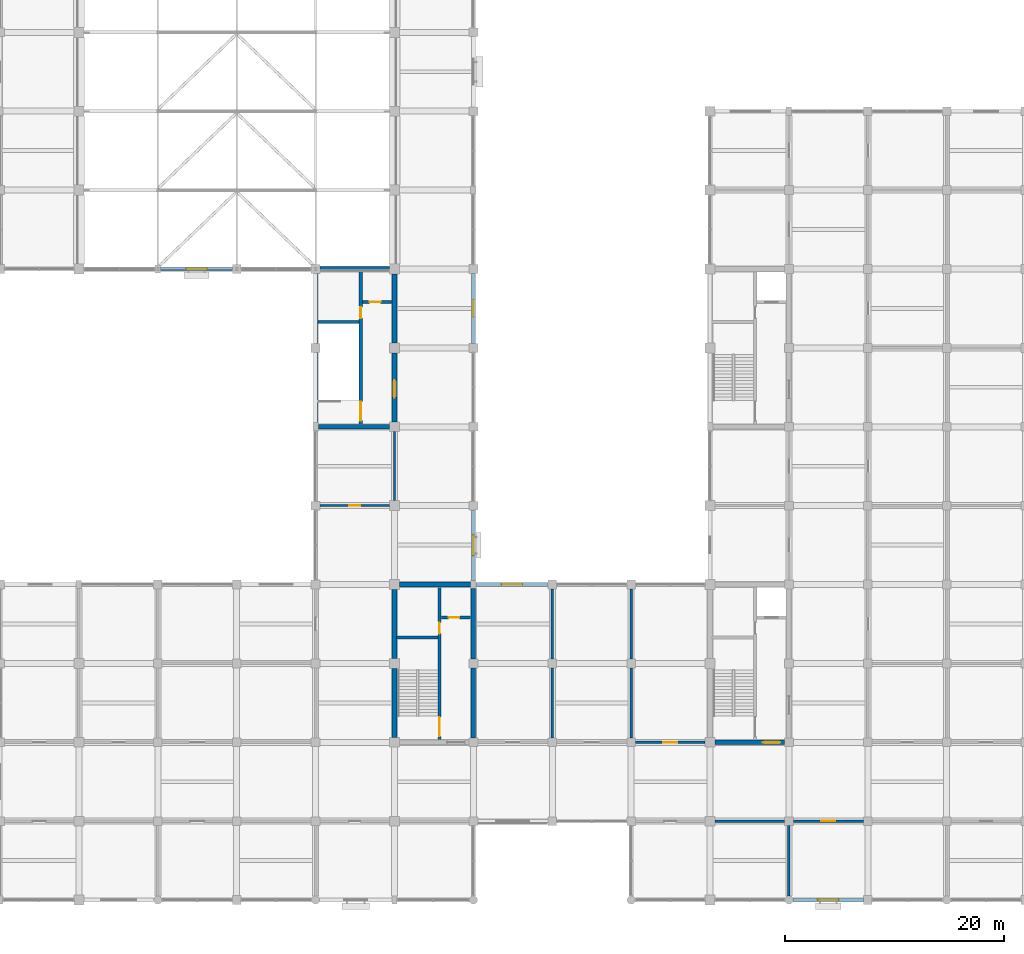
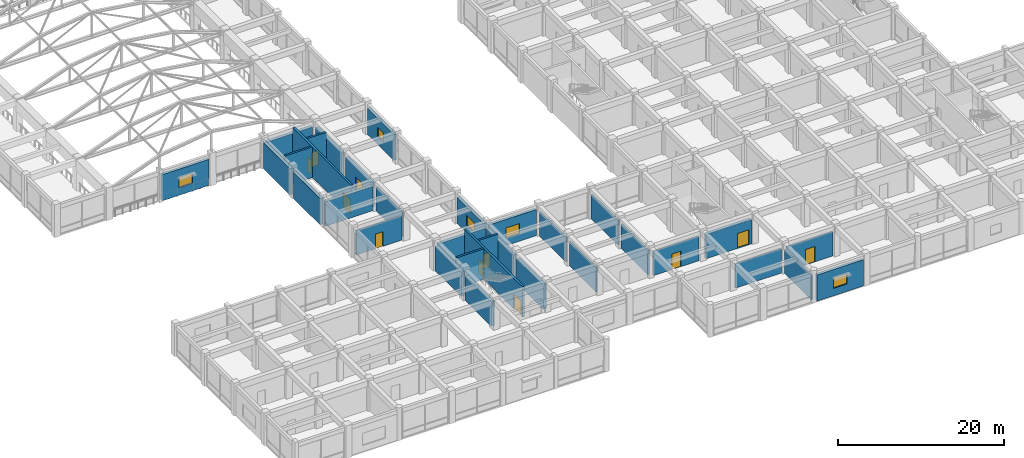
# One storey, part 57 of 75: 33 walls, 11 doors, 5 windows, 16 openings.
"""IFC4 building model written with IfcOpenShell, lengths in metres."""

from ifc_helpers import new_model, si_unit, direction, frame, frame_2d, origin, place, context, subcontext, project, spatial, rectangle, extrude, material, layer, layer_set, type_object, element, fill, save


model = new_model("IFC4")

# Units and contexts
model_context = context("Model", 3, precision=1e-05, world=origin(), true_north=direction((0.0, 1.0)))
body_context = subcontext(model_context, "Body", "Model", "MODEL_VIEW")
ifc_project = project(units=[si_unit("LENGTHUNIT", "METRE"), si_unit("AREAUNIT", "SQUARE_METRE"), si_unit("VOLUMEUNIT", "CUBIC_METRE"), si_unit("PLANEANGLEUNIT", "RADIAN"), si_unit("MASSUNIT", "GRAM", prefix="KILO")], contexts=[model_context])

# Site, building, storey
site_placement = place(None, origin())
site = spatial("IfcSite", under=ifc_project, at=site_placement, CompositionType="ELEMENT")
building_placement = place(site_placement, origin())
building = spatial("IfcBuilding", under=site, at=building_placement, Name="Cendaluz Park School", CompositionType="ELEMENT")
storey_placement = place(building_placement, frame((0.0, 0.0, 4.800048828125)))
storey = spatial("IfcBuildingStorey", under=building, at=storey_placement, Name="L01", CompositionType="ELEMENT", Elevation=4.800048828125)

# Wall, opening, door
ifc_material_1 = material(Name="Gypsum Plasterboard on Cold-Formed Stud", Category="gypsum")
ifc_layer_1 = layer(ifc_material_1, 0.199951171875)
ifc_layer_set_1 = layer_set([ifc_layer_1], Name="Gypsum Plasterboard on Cold-Formed Stud")
wall_type_1 = type_object("IfcWallType", Name="W-AC20", PredefinedType="PARTITIONING", material=ifc_layer_set_1)
wall_1_placement = place(storey_placement, frame((29.199951171875, 36.0, 0.0), z_axis=(0.0, 0.0, 1.0), x_axis=(1.0, 0.0, 0.0)))
wall_1 = element("IfcWall", 1, at=wall_1_placement, inside=storey, type_object=wall_type_1, Name="WL-FB-BU3", PredefinedType="PARTITIONING", context=body_context, shape_type="SweptSolid", body=[
    extrude(rectangle(XDim=6.35009765625, YDim=0.199951171875, at=frame_2d((3.175048828125, 0.0))), origin(), (0.0, 0.0, 1.0), 3.579833984375),
])
opening_1_placement = place(wall_1_placement, frame((2.655029296875, 0.0, 0.0)))
opening_1 = element("IfcOpeningElement", 2, at=opening_1_placement, cuts=wall_1, Name="Opening DCL-03", PredefinedType="OPENING", context=body_context, shape_type="SweptSolid", body=[
    extrude(rectangle(XDim=1.0400390625, YDim=2.139892578125, at=frame_2d((0.52001953125, 1.06982421875))), frame((0.0, 0.112060546875, 0.0), z_axis=(0.0, -1.0, 0.0), x_axis=(1.0, 0.0, 0.0)), (0.0, 0.0, 1.0), 0.223876953125),
])
ifc_material_2 = material(Name="Solid Core Hardwood", Category="wood")
door_type_1 = type_object("IfcDoorType", Name="DCL-03", OperationType="NOTDEFINED", PredefinedType="DOOR", material=ifc_material_2)
door_1_placement = place(opening_1_placement, origin())
door_1 = element("IfcDoor", 3, at=door_1_placement, inside=storey, type_object=door_type_1, Name="D-L01-055", OperationType="SINGLE_SWING_LEFT", OverallHeight=2.139892578125, OverallWidth=1.0400390625, PredefinedType="DOOR", context=body_context, shape_type="SweptSolid", body=[
    extrude(rectangle(XDim=1.0400390625, YDim=2.139892578125, at=frame_2d((0.52001953125, 1.06982421875))), frame((0.0, 0.02490234375, 0.0), z_axis=(0.0, -1.0, 0.0), x_axis=(1.0, 0.0, 0.0)), (0.0, 0.0, 1.0), 0.050048828125),
])
fill(opening_1, door_1)

# Wall
wall_2_placement = place(storey_placement, frame((36.0, 36.449951171875, 0.0), z_axis=(0.0, 0.0, 1.0), x_axis=(0.0, 1.0, 0.0)))
element("IfcWall", 4, at=wall_2_placement, inside=storey, type_object=wall_type_1, Name="WL-FB-BU4", PredefinedType="PARTITIONING", context=body_context, shape_type="SweptSolid", body=[
    extrude(rectangle(XDim=6.300048828125, YDim=0.199951171875, at=frame_2d((3.14990234375, 0.0))), origin(), (0.0, 0.0, 1.0), 3.579833984375),
])

# Wall, opening, window
ifc_material_3 = material(Name="Concrete C40/50 precast", Category="concrete")
ifc_layer_2 = layer(ifc_material_3, 0.360107421875)
ifc_layer_set_2 = layer_set([ifc_layer_2], Name="Concrete C40/50 precast")
wall_type_2 = type_object("IfcWallType", Name="W-EX36", PredefinedType="SOLIDWALL", material=ifc_layer_set_2)
wall_3_placement = place(storey_placement, frame((14.64990234375, 57.60009765625, 0.0), z_axis=(0.0, 0.0, 1.0), x_axis=(1.0, 0.0, 0.0)))
wall_3 = element("IfcWall", 5, at=wall_3_placement, inside=storey, type_object=wall_type_2, Name="WL-FB-AA6", PredefinedType="SOLIDWALL", context=body_context, shape_type="SweptSolid", body=[
    extrude(rectangle(XDim=6.550048828125, YDim=0.360107421875, at=frame_2d((3.27490234375, 0.0))), origin(), (0.0, 0.0, 1.0), 3.849853515625),
])
opening_2_placement = place(wall_3_placement, frame((2.324951171875, 0.0, 1.10009765625)))
opening_2 = element("IfcOpeningElement", 6, at=opening_2_placement, cuts=wall_3, Name="Opening WN-17", PredefinedType="OPENING", context=body_context, shape_type="SweptSolid", body=[
    extrude(rectangle(XDim=1.89990234375, YDim=1.5, at=frame_2d((0.949951171875, 0.75))), frame((0.0, 0.192138671875, 0.0), z_axis=(0.0, -1.0, 0.0), x_axis=(1.0, 0.0, 0.0)), (0.0, 0.0, 1.0), 0.384033203125),
])
ifc_material_4 = material(Name="Tempered Low-E Double Glazing", Category="glass")
window_type_1 = type_object("IfcWindowType", Name="WN-17", PartitioningType="SINGLE_PANEL", PredefinedType="WINDOW", material=ifc_material_4)
window_1_placement = place(opening_2_placement, origin())
window_1 = element("IfcWindow", 7, at=window_1_placement, inside=storey, type_object=window_type_1, Name="WN-L01-007", OverallHeight=1.5, OverallWidth=1.89990234375, PartitioningType="SINGLE_PANEL", PredefinedType="WINDOW", context=body_context, shape_type="SweptSolid", body=[
    extrude(rectangle(XDim=1.89990234375, YDim=1.5, at=frame_2d((0.949951171875, 0.75))), frame((0.0, 0.030029296875, 0.0), z_axis=(0.0, -1.0, 0.0), x_axis=(1.0, 0.0, 0.0)), (0.0, 0.0, 1.0), 0.06005859375),
])
fill(opening_2, window_1)

wall_4_placement = place(storey_placement, frame((43.199951171875, 29.175048828125, 0.0), z_axis=(0.0, 0.0, 1.0), x_axis=(0.0, 1.0, 0.0)))
wall_4 = element("IfcWall", 8, at=wall_4_placement, inside=storey, type_object=wall_type_2, Name="WL-FB-AB0", PredefinedType="SOLIDWALL", context=body_context, shape_type="SweptSolid", body=[
    extrude(rectangle(XDim=6.425048828125, YDim=0.360107421875, at=frame_2d((3.21240234375, 0.0))), origin(), (0.0, 0.0, 1.0), 3.849853515625),
])
opening_3_placement = place(wall_4_placement, frame((2.262451171875, 0.0, 1.10009765625)))
opening_3 = element("IfcOpeningElement", 9, at=opening_3_placement, cuts=wall_4, Name="Opening WN-17", PredefinedType="OPENING", context=body_context, shape_type="SweptSolid", body=[
    extrude(rectangle(XDim=1.89990234375, YDim=1.5, at=frame_2d((0.949951171875, 0.75))), frame((0.0, 0.192138671875, 0.0), z_axis=(0.0, -1.0, 0.0), x_axis=(1.0, 0.0, 0.0)), (0.0, 0.0, 1.0), 0.384033203125),
])
window_2_placement = place(opening_3_placement, origin())
window_2 = element("IfcWindow", 10, at=window_2_placement, inside=storey, type_object=window_type_1, Name="WN-L01-011", OverallHeight=1.5, OverallWidth=1.89990234375, PartitioningType="SINGLE_PANEL", PredefinedType="WINDOW", context=body_context, shape_type="SweptSolid", body=[
    extrude(rectangle(XDim=1.89990234375, YDim=1.5, at=frame_2d((0.949951171875, 0.75))), frame((0.0, 0.030029296875, 0.0), z_axis=(0.0, -1.0, 0.0), x_axis=(1.0, 0.0, 0.0)), (0.0, 0.0, 1.0), 0.06005859375),
])
fill(opening_3, window_2)

wall_5_placement = place(storey_placement, frame((43.199951171875, 50.800048828125, 0.0), z_axis=(0.0, 0.0, 1.0), x_axis=(0.0, 1.0, 0.0)))
wall_5 = element("IfcWall", 11, at=wall_5_placement, inside=storey, type_object=wall_type_2, Name="WL-FB-AB1", PredefinedType="SOLIDWALL", context=body_context, shape_type="SweptSolid", body=[
    extrude(rectangle(XDim=6.39990234375, YDim=0.360107421875, at=frame_2d((3.199951171875, 0.0))), origin(), (0.0, 0.0, 1.0), 3.849853515625),
])
opening_4_placement = place(wall_5_placement, frame((2.449951171875, 0.0, 1.199951171875)))
opening_4 = element("IfcOpeningElement", 12, at=opening_4_placement, cuts=wall_5, Name="Opening WN-20", PredefinedType="OPENING", context=body_context, shape_type="SweptSolid", body=[
    extrude(rectangle(XDim=1.5, YDim=1.35009765625, at=frame_2d((0.75, 0.675048828125))), frame((0.0, 0.192138671875, 0.0), z_axis=(0.0, -1.0, 0.0), x_axis=(1.0, 0.0, 0.0)), (0.0, 0.0, 1.0), 0.384033203125),
])
window_type_2 = type_object("IfcWindowType", Name="WN-20", PartitioningType="SINGLE_PANEL", PredefinedType="WINDOW", material=ifc_material_4)
window_3_placement = place(opening_4_placement, origin())
window_3 = element("IfcWindow", 13, at=window_3_placement, inside=storey, type_object=window_type_2, Name="WN-L01-012", OverallHeight=1.35009765625, OverallWidth=1.5, PartitioningType="SINGLE_PANEL", PredefinedType="WINDOW", context=body_context, shape_type="SweptSolid", body=[
    extrude(rectangle(XDim=1.5, YDim=1.35009765625, at=frame_2d((0.75, 0.675048828125))), frame((0.0, 0.030029296875, 0.0), z_axis=(0.0, -1.0, 0.0), x_axis=(1.0, 0.0, 0.0)), (0.0, 0.0, 1.0), 0.06005859375),
])
fill(opening_4, window_3)

wall_6_placement = place(storey_placement, frame((43.449951171875, 28.800048828125, 0.0), z_axis=(0.0, 0.0, 1.0), x_axis=(1.0, 0.0, 0.0)))
wall_6 = element("IfcWall", 14, at=wall_6_placement, inside=storey, type_object=wall_type_2, Name="WL-FB-AB5", PredefinedType="SOLIDWALL", context=body_context, shape_type="SweptSolid", body=[
    extrude(rectangle(XDim=6.550048828125, YDim=0.360107421875, at=frame_2d((3.27490234375, 0.0))), origin(), (0.0, 0.0, 1.0), 3.849853515625),
])
opening_5_placement = place(wall_6_placement, frame((2.324951171875, 0.0, 1.10009765625)))
opening_5 = element("IfcOpeningElement", 15, at=opening_5_placement, cuts=wall_6, Name="Opening WN-17", PredefinedType="OPENING", context=body_context, shape_type="SweptSolid", body=[
    extrude(rectangle(XDim=1.89990234375, YDim=1.5, at=frame_2d((0.949951171875, 0.75))), frame((0.0, 0.192138671875, 0.0), z_axis=(0.0, -1.0, 0.0), x_axis=(1.0, 0.0, 0.0)), (0.0, 0.0, 1.0), 0.384033203125),
])
window_4_placement = place(opening_5_placement, origin())
window_4 = element("IfcWindow", 16, at=window_4_placement, inside=storey, type_object=window_type_1, Name="WN-L01-016", OverallHeight=1.5, OverallWidth=1.89990234375, PartitioningType="SINGLE_PANEL", PredefinedType="WINDOW", context=body_context, shape_type="SweptSolid", body=[
    extrude(rectangle(XDim=1.89990234375, YDim=1.5, at=frame_2d((0.949951171875, 0.75))), frame((0.0, 0.030029296875, 0.0), z_axis=(0.0, -1.0, 0.0), x_axis=(1.0, 0.0, 0.0)), (0.0, 0.0, 1.0), 0.06005859375),
])
fill(opening_5, window_4)

wall_7_placement = place(storey_placement, frame((72.375, 0.0, 0.0), z_axis=(0.0, 0.0, 1.0), x_axis=(1.0, 0.0, 0.0)))
wall_7 = element("IfcWall", 17, at=wall_7_placement, inside=storey, type_object=wall_type_2, Name="WL-FB-AB8", PredefinedType="SOLIDWALL", context=body_context, shape_type="SweptSolid", body=[
    extrude(rectangle(XDim=6.425048828125, YDim=0.360107421875, at=frame_2d((3.21240234375, 0.0))), origin(), (0.0, 0.0, 1.0), 3.849853515625),
])
opening_6_placement = place(wall_7_placement, frame((2.262451171875, 0.0, 1.10009765625)))
opening_6 = element("IfcOpeningElement", 18, at=opening_6_placement, cuts=wall_7, Name="Opening WN-17", PredefinedType="OPENING", context=body_context, shape_type="SweptSolid", body=[
    extrude(rectangle(XDim=1.89990234375, YDim=1.5, at=frame_2d((0.949951171875, 0.75))), frame((0.0, 0.192138671875, 0.0), z_axis=(0.0, -1.0, 0.0), x_axis=(1.0, 0.0, 0.0)), (0.0, 0.0, 1.0), 0.384033203125),
])
window_5_placement = place(opening_6_placement, origin())
window_5 = element("IfcWindow", 19, at=window_5_placement, inside=storey, type_object=window_type_1, Name="WN-L01-019", OverallHeight=1.5, OverallWidth=1.89990234375, PartitioningType="SINGLE_PANEL", PredefinedType="WINDOW", context=body_context, shape_type="SweptSolid", body=[
    extrude(rectangle(XDim=1.89990234375, YDim=1.5, at=frame_2d((0.949951171875, 0.75))), frame((0.0, 0.030029296875, 0.0), z_axis=(0.0, -1.0, 0.0), x_axis=(1.0, 0.0, 0.0)), (0.0, 0.0, 1.0), 0.06005859375),
])
fill(opening_6, window_5)

# Wall, openings, doors
ifc_material_5 = material(Name="Concrete C40/50", Category="concrete")
ifc_layer_3 = layer(ifc_material_5, 0.280029296875)
ifc_layer_set_3 = layer_set([ifc_layer_3], Name="Concrete C40/50")
wall_type_3 = type_object("IfcWallType", Name="W-FW28", PredefinedType="SHEAR", material=ifc_layer_set_3)
wall_8_placement = place(storey_placement, frame((40.1201171875, 14.60009765625, 0.0), z_axis=(0.0, 0.0, 1.0), x_axis=(0.0, 1.0, 0.0)))
wall_8 = element("IfcWall", 20, at=wall_8_placement, inside=storey, type_object=wall_type_3, Name="WL-FB-BM1", PredefinedType="SHEAR", context=body_context, shape_type="SweptSolid", body=[
    extrude(rectangle(XDim=14.0, YDim=0.280029296875, at=frame_2d((7.0, 0.0))), origin(), (0.0, 0.0, 1.0), 4.47998046875),
])
opening_7_placement = place(wall_8_placement, frame((0.35009765625, 0.0, 0.0)))
opening_7 = element("IfcOpeningElement", 21, at=opening_7_placement, cuts=wall_8, Name="Opening DST-03", PredefinedType="OPENING", context=body_context, shape_type="SweptSolid", body=[
    extrude(rectangle(XDim=1.75, YDim=2.14990234375, at=frame_2d((0.875, 1.074951171875))), frame((0.0, 0.152099609375, 0.0), z_axis=(0.0, -1.0, 0.0), x_axis=(1.0, 0.0, 0.0)), (0.0, 0.0, 1.0), 0.303955078125),
])
opening_8_placement = place(wall_8_placement, frame((9.719970703125, 0.0, 0.0)))
opening_8 = element("IfcOpeningElement", 22, at=opening_8_placement, cuts=wall_8, Name="Opening DFC-01", PredefinedType="OPENING", context=body_context, shape_type="SweptSolid", body=[
    extrude(rectangle(XDim=1.0, YDim=2.14990234375, at=frame_2d((0.5, 1.074951171875))), frame((0.0, 0.152099609375, 0.0), z_axis=(0.0, -1.0, 0.0), x_axis=(1.0, 0.0, 0.0)), (0.0, 0.0, 1.0), 0.303955078125),
])
door_type_2 = type_object("IfcDoorType", Name="DFC-01", OperationType="NOTDEFINED", PredefinedType="DOOR", material=ifc_material_2)
door_2_placement = place(opening_8_placement, origin())
door_2 = element("IfcDoor", 23, at=door_2_placement, inside=storey, type_object=door_type_2, Name="D-L01-021", OperationType="SINGLE_SWING_LEFT", OverallHeight=2.14990234375, OverallWidth=1.0, PredefinedType="DOOR", context=body_context, shape_type="SweptSolid", body=[
    extrude(rectangle(XDim=1.0, YDim=2.14990234375, at=frame_2d((0.5, 1.074951171875))), frame((0.0, 0.02490234375, 0.0), z_axis=(0.0, -1.0, 0.0), x_axis=(1.0, 0.0, 0.0)), (0.0, 0.0, 1.0), 0.050048828125),
])
fill(opening_8, door_2)
door_type_3 = type_object("IfcDoorType", Name="DST-03", OperationType="DOUBLE_DOOR_SINGLE_SWING", PredefinedType="DOOR", material=ifc_material_2)
door_3_placement = place(opening_7_placement, origin())
door_3 = element("IfcDoor", 24, at=door_3_placement, inside=storey, type_object=door_type_3, Name="D-L01-020", OperationType="DOUBLE_DOOR_SINGLE_SWING", OverallHeight=2.14990234375, OverallWidth=1.75, PredefinedType="DOOR", context=body_context, shape_type="SweptSolid", body=[
    extrude(rectangle(XDim=1.75, YDim=2.14990234375, at=frame_2d((0.875, 1.074951171875))), frame((0.0, 0.02490234375, 0.0), z_axis=(0.0, -1.0, 0.0), x_axis=(1.0, 0.0, 0.0)), (0.0, 0.0, 1.0), 0.050048828125),
])
fill(opening_7, door_3)

# Wall
wall_9_placement = place(storey_placement, frame((36.199951171875, 23.97998046875, 0.0), z_axis=(0.0, 0.0, 1.0), x_axis=(1.0, 0.0, 0.0)))
element("IfcWall", 25, at=wall_9_placement, inside=storey, type_object=wall_type_3, Name="WL-FB-BM2", PredefinedType="SHEAR", context=body_context, shape_type="SweptSolid", body=[
    extrude(rectangle(XDim=3.780029296875, YDim=0.280029296875, at=frame_2d((1.89013671875, 0.0))), origin(), (0.0, 0.0, 1.0), 4.47998046875),
])

# Wall, opening, door
wall_10_placement = place(storey_placement, frame((40.280029296875, 25.800048828125, 0.0), z_axis=(0.0, 0.0, 1.0), x_axis=(1.0, 0.0, 0.0)))
wall_10 = element("IfcWall", 26, at=wall_10_placement, inside=storey, type_object=wall_type_3, Name="WL-FB-BM3", PredefinedType="SHEAR", context=body_context, shape_type="SweptSolid", body=[
    extrude(rectangle(XDim=2.679931640625, YDim=0.280029296875, at=frame_2d((1.33984375, 0.0))), origin(), (0.0, 0.0, 1.0), 4.47998046875),
])
opening_9_placement = place(wall_10_placement, frame((0.64990234375, 0.0, 0.0)))
opening_9 = element("IfcOpeningElement", 27, at=opening_9_placement, cuts=wall_10, Name="Opening DFC-01", PredefinedType="OPENING", context=body_context, shape_type="SweptSolid", body=[
    extrude(rectangle(XDim=1.0, YDim=2.14990234375, at=frame_2d((0.5, 1.074951171875))), frame((0.0, 0.152099609375, 0.0), z_axis=(0.0, -1.0, 0.0), x_axis=(1.0, 0.0, 0.0)), (0.0, 0.0, 1.0), 0.303955078125),
])
door_4_placement = place(opening_9_placement, frame((1.0, 0.0, 0.0), z_axis=(0.0, 0.0, 1.0), x_axis=(-1.0, 0.0, 0.0)))
door_4 = element("IfcDoor", 28, at=door_4_placement, inside=storey, type_object=door_type_2, Name="D-L01-022", OperationType="SINGLE_SWING_RIGHT", OverallHeight=2.14990234375, OverallWidth=1.0, PredefinedType="DOOR", context=body_context, shape_type="SweptSolid", body=[
    extrude(rectangle(XDim=1.0, YDim=2.14990234375, at=frame_2d((0.5, 1.074951171875))), frame((0.0, 0.02490234375, 0.0), z_axis=(0.0, -1.0, 0.0), x_axis=(1.0, 0.0, 0.0)), (0.0, 0.0, 1.0), 0.050048828125),
])
fill(opening_9, door_4)

# Wall, openings, doors
wall_11_placement = place(storey_placement, frame((32.919921875, 43.39990234375, 0.0), z_axis=(0.0, 0.0, 1.0), x_axis=(0.0, 1.0, 0.0)))
wall_11 = element("IfcWall", 29, at=wall_11_placement, inside=storey, type_object=wall_type_3, Name="WL-FB-BN9", PredefinedType="SHEAR", context=body_context, shape_type="SweptSolid", body=[
    extrude(rectangle(XDim=14.0, YDim=0.280029296875, at=frame_2d((7.0, 0.0))), origin(), (0.0, 0.0, 1.0), 4.47998046875),
])
opening_10_placement = place(wall_11_placement, frame((0.35009765625, 0.0, 0.0)))
opening_10 = element("IfcOpeningElement", 30, at=opening_10_placement, cuts=wall_11, Name="Opening DST-03", PredefinedType="OPENING", context=body_context, shape_type="SweptSolid", body=[
    extrude(rectangle(XDim=1.75, YDim=2.14990234375, at=frame_2d((0.875, 1.074951171875))), frame((0.0, 0.152099609375, 0.0), z_axis=(0.0, -1.0, 0.0), x_axis=(1.0, 0.0, 0.0)), (0.0, 0.0, 1.0), 0.303955078125),
])
opening_11_placement = place(wall_11_placement, frame((9.719970703125, 0.0, 0.0)))
opening_11 = element("IfcOpeningElement", 31, at=opening_11_placement, cuts=wall_11, Name="Opening DFC-01", PredefinedType="OPENING", context=body_context, shape_type="SweptSolid", body=[
    extrude(rectangle(XDim=1.0, YDim=2.14990234375, at=frame_2d((0.5, 1.074951171875))), frame((0.0, 0.152099609375, 0.0), z_axis=(0.0, -1.0, 0.0), x_axis=(1.0, 0.0, 0.0)), (0.0, 0.0, 1.0), 0.303955078125),
])
door_5_placement = place(opening_11_placement, origin())
door_5 = element("IfcDoor", 32, at=door_5_placement, inside=storey, type_object=door_type_2, Name="D-L01-029", OperationType="SINGLE_SWING_LEFT", OverallHeight=2.14990234375, OverallWidth=1.0, PredefinedType="DOOR", context=body_context, shape_type="SweptSolid", body=[
    extrude(rectangle(XDim=1.0, YDim=2.14990234375, at=frame_2d((0.5, 1.074951171875))), frame((0.0, 0.02490234375, 0.0), z_axis=(0.0, -1.0, 0.0), x_axis=(1.0, 0.0, 0.0)), (0.0, 0.0, 1.0), 0.050048828125),
])
fill(opening_11, door_5)
door_6_placement = place(opening_10_placement, origin())
door_6 = element("IfcDoor", 33, at=door_6_placement, inside=storey, type_object=door_type_3, Name="D-L01-028", OperationType="DOUBLE_DOOR_SINGLE_SWING", OverallHeight=2.14990234375, OverallWidth=1.75, PredefinedType="DOOR", context=body_context, shape_type="SweptSolid", body=[
    extrude(rectangle(XDim=1.75, YDim=2.14990234375, at=frame_2d((0.875, 1.074951171875))), frame((0.0, 0.02490234375, 0.0), z_axis=(0.0, -1.0, 0.0), x_axis=(1.0, 0.0, 0.0)), (0.0, 0.0, 1.0), 0.050048828125),
])
fill(opening_10, door_6)

# Wall
wall_12_placement = place(storey_placement, frame((29.0, 52.780029296875, 0.0), z_axis=(0.0, 0.0, 1.0), x_axis=(1.0, 0.0, 0.0)))
element("IfcWall", 34, at=wall_12_placement, inside=storey, type_object=wall_type_3, Name="WL-FB-BO0", PredefinedType="SHEAR", context=body_context, shape_type="SweptSolid", body=[
    extrude(rectangle(XDim=3.780029296875, YDim=0.280029296875, at=frame_2d((1.89013671875, 0.0))), origin(), (0.0, 0.0, 1.0), 4.47998046875),
])

# Wall, opening, door
wall_13_placement = place(storey_placement, frame((33.080078125, 54.60009765625, 0.0), z_axis=(0.0, 0.0, 1.0), x_axis=(1.0, 0.0, 0.0)))
wall_13 = element("IfcWall", 35, at=wall_13_placement, inside=storey, type_object=wall_type_3, Name="WL-FB-BO1", PredefinedType="SHEAR", context=body_context, shape_type="SweptSolid", body=[
    extrude(rectangle(XDim=2.679931640625, YDim=0.280029296875, at=frame_2d((1.33984375, 0.0))), origin(), (0.0, 0.0, 1.0), 4.47998046875),
])
opening_12_placement = place(wall_13_placement, frame((0.64990234375, 0.0, 0.0)))
opening_12 = element("IfcOpeningElement", 36, at=opening_12_placement, cuts=wall_13, Name="Opening DFC-01", PredefinedType="OPENING", context=body_context, shape_type="SweptSolid", body=[
    extrude(rectangle(XDim=1.0, YDim=2.14990234375, at=frame_2d((0.5, 1.074951171875))), frame((0.0, 0.152099609375, 0.0), z_axis=(0.0, -1.0, 0.0), x_axis=(1.0, 0.0, 0.0)), (0.0, 0.0, 1.0), 0.303955078125),
])
door_7_placement = place(opening_12_placement, frame((1.0, 0.0, 0.0), z_axis=(0.0, 0.0, 1.0), x_axis=(-1.0, 0.0, 0.0)))
door_7 = element("IfcDoor", 37, at=door_7_placement, inside=storey, type_object=door_type_2, Name="D-L01-030", OperationType="SINGLE_SWING_RIGHT", OverallHeight=2.14990234375, OverallWidth=1.0, PredefinedType="DOOR", context=body_context, shape_type="SweptSolid", body=[
    extrude(rectangle(XDim=1.0, YDim=2.14990234375, at=frame_2d((0.5, 1.074951171875))), frame((0.0, 0.02490234375, 0.0), z_axis=(0.0, -1.0, 0.0), x_axis=(1.0, 0.0, 0.0)), (0.0, 0.0, 1.0), 0.050048828125),
])
fill(opening_12, door_7)

# Walls
ifc_layer_4 = layer(ifc_material_1, 0.219970703125)
ifc_layer_set_4 = layer_set([ifc_layer_4], Name="Gypsum Plasterboard on Cold-Formed Stud")
wall_type_4 = type_object("IfcWallType", Name="W-LB22", PredefinedType="PARTITIONING", material=ifc_layer_set_4)
for number, where, z_axis, x_axis, name in (
    (38, (50.39990234375, 14.800048828125, 0.0), (0.0, 0.0, 1.0), (0.0, 1.0, 0.0), "WL-FB-BQ5"),
    (39, (50.39990234375, 22.0, 0.0), (0.0, 0.0, 1.0), (0.0, 1.0, 0.0), "WL-FB-BQ6"),
    (40, (57.60009765625, 14.800048828125, 0.0), (0.0, 0.0, 1.0), (0.0, 1.0, 0.0), "WL-FB-BQ8"),
    (41, (57.60009765625, 22.0, 0.0), (0.0, 0.0, 1.0), (0.0, 1.0, 0.0), "WL-FB-BQ9"),
):
    element("IfcWall", number, at=place(storey_placement, frame(where, z_axis=z_axis, x_axis=x_axis)), inside=storey, type_object=wall_type_4, Name=name, PredefinedType="PARTITIONING", context=body_context, shape_type="SweptSolid", body=[
        extrude(rectangle(XDim=6.39990234375, YDim=0.219970703125, at=frame_2d((3.199951171875, 0.0))), origin(), (0.0, 0.0, 1.0), 3.579833984375),
    ])

# Wall, opening, door
wall_14_placement = place(storey_placement, frame((58.0, 14.39990234375, 0.0), z_axis=(0.0, 0.0, 1.0), x_axis=(1.0, 0.0, 0.0)))
wall_14 = element("IfcWall", 42, at=wall_14_placement, inside=storey, type_object=wall_type_4, Name="WL-FB-BR0", PredefinedType="PARTITIONING", context=body_context, shape_type="SweptSolid", body=[
    extrude(rectangle(XDim=6.35009765625, YDim=0.219970703125, at=frame_2d((3.175048828125, 0.0))), origin(), (0.0, 0.0, 1.0), 3.579833984375),
])
opening_13_placement = place(wall_14_placement, frame((2.534912109375, 0.0, 0.0)))
opening_13 = element("IfcOpeningElement", 43, at=opening_13_placement, cuts=wall_14, Name="Opening DCL-10", PredefinedType="OPENING", context=body_context, shape_type="SweptSolid", body=[
    extrude(rectangle(XDim=1.280029296875, YDim=2.280029296875, at=frame_2d((0.64013671875, 1.14013671875))), frame((0.0, 0.1220703125, 0.0), z_axis=(0.0, -1.0, 0.0), x_axis=(1.0, 0.0, 0.0)), (0.0, 0.0, 1.0), 0.243896484375),
])
door_type_4 = type_object("IfcDoorType", Name="DCL-10", OperationType="NOTDEFINED", PredefinedType="DOOR", material=ifc_material_2)
door_8_placement = place(opening_13_placement, frame((1.280029296875, 0.0, 0.0), z_axis=(0.0, 0.0, 1.0), x_axis=(-1.0, 0.0, 0.0)))
door_8 = element("IfcDoor", 44, at=door_8_placement, inside=storey, type_object=door_type_4, Name="D-L01-042", OperationType="SINGLE_SWING_RIGHT", OverallHeight=2.280029296875, OverallWidth=1.280029296875, PredefinedType="DOOR", context=body_context, shape_type="SweptSolid", body=[
    extrude(rectangle(XDim=1.280029296875, YDim=2.280029296875, at=frame_2d((0.64013671875, 1.14013671875))), frame((0.0, 0.02490234375, 0.0), z_axis=(0.0, -1.0, 0.0), x_axis=(1.0, 0.0, 0.0)), (0.0, 0.0, 1.0), 0.050048828125),
])
fill(opening_13, door_8)

# Walls
wall_15_placement = place(storey_placement, frame((65.25, 7.199951171875, 0.0), z_axis=(0.0, 0.0, 1.0), x_axis=(1.0, 0.0, 0.0)))
element("IfcWall", 45, at=wall_15_placement, inside=storey, type_object=wall_type_4, Name="WL-FB-BU8", PredefinedType="PARTITIONING", context=body_context, shape_type="SweptSolid", body=[
    extrude(rectangle(XDim=6.35009765625, YDim=0.219970703125, at=frame_2d((3.175048828125, 0.0))), origin(), (0.0, 0.0, 1.0), 3.579833984375),
])
wall_16_placement = place(storey_placement, frame((72.0, 0.375, 0.0), z_axis=(0.0, 0.0, 1.0), x_axis=(0.0, 1.0, 0.0)))
element("IfcWall", 46, at=wall_16_placement, inside=storey, type_object=wall_type_4, Name="WL-FB-BU9", PredefinedType="PARTITIONING", context=body_context, shape_type="SweptSolid", body=[
    extrude(rectangle(XDim=6.425048828125, YDim=0.219970703125, at=frame_2d((3.21240234375, 0.0))), origin(), (0.0, 0.0, 1.0), 3.579833984375),
])

# Wall, opening, door
wall_17_placement = place(storey_placement, frame((72.39990234375, 7.199951171875, 0.0), z_axis=(0.0, 0.0, 1.0), x_axis=(1.0, 0.0, 0.0)))
wall_17 = element("IfcWall", 47, at=wall_17_placement, inside=storey, type_object=wall_type_4, Name="WL-FB-BV6", PredefinedType="PARTITIONING", context=body_context, shape_type="SweptSolid", body=[
    extrude(rectangle(XDim=6.400146484375, YDim=0.219970703125, at=frame_2d((3.2001953125, 0.0))), origin(), (0.0, 0.0, 1.0), 3.579833984375),
])
opening_14_placement = place(wall_17_placement, frame((2.56005859375, 0.0, 0.0)))
opening_14 = element("IfcOpeningElement", 48, at=opening_14_placement, cuts=wall_17, Name="Opening DCL-10", PredefinedType="OPENING", context=body_context, shape_type="SweptSolid", body=[
    extrude(rectangle(XDim=1.280029296875, YDim=2.280029296875, at=frame_2d((0.64013671875, 1.14013671875))), frame((0.0, 0.1220703125, 0.0), z_axis=(0.0, -1.0, 0.0), x_axis=(1.0, 0.0, 0.0)), (0.0, 0.0, 1.0), 0.243896484375),
])
door_9_placement = place(opening_14_placement, origin())
door_9 = element("IfcDoor", 49, at=door_9_placement, inside=storey, type_object=door_type_4, Name="D-L01-062", OperationType="SINGLE_SWING_RIGHT", OverallHeight=2.280029296875, OverallWidth=1.280029296875, PredefinedType="DOOR", context=body_context, shape_type="SweptSolid", body=[
    extrude(rectangle(XDim=1.280029296875, YDim=2.280029296875, at=frame_2d((0.64013671875, 1.14013671875))), frame((0.0, 0.02490234375, 0.0), z_axis=(0.0, -1.0, 0.0), x_axis=(1.0, 0.0, 0.0)), (0.0, 0.0, 1.0), 0.050048828125),
])
fill(opening_14, door_9)

ifc_layer_5 = layer(ifc_material_5, 0.419921875)
ifc_layer_set_5 = layer_set([ifc_layer_5], Name="Concrete C40/50")
wall_type_5 = type_object("IfcWallType", Name="W-SH42", PredefinedType="SHEAR", material=ifc_layer_set_5)
wall_18_placement = place(storey_placement, frame((65.25, 14.39990234375, 0.0), z_axis=(0.0, 0.0, 1.0), x_axis=(1.0, 0.0, 0.0)))
wall_18 = element("IfcWall", 50, at=wall_18_placement, inside=storey, type_object=wall_type_5, Name="WL-FB-BI3", PredefinedType="SHEAR", context=body_context, shape_type="SweptSolid", body=[
    extrude(rectangle(XDim=6.35009765625, YDim=0.419921875, at=frame_2d((3.175048828125, 0.0))), origin(), (0.0, 0.0, 1.0), 3.579833984375),
])
opening_15_placement = place(wall_18_placement, frame((4.3701171875, 0.0, 0.0)))
opening_15 = element("IfcOpeningElement", 51, at=opening_15_placement, cuts=wall_18, Name="Opening DLB-01", PredefinedType="OPENING", context=body_context, shape_type="SweptSolid", body=[
    extrude(rectangle(XDim=1.60009765625, YDim=2.199951171875, at=frame_2d((0.800048828125, 1.10009765625))), frame((0.0, 0.221923828125, 0.0), z_axis=(0.0, -1.0, 0.0), x_axis=(1.0, 0.0, 0.0)), (0.0, 0.0, 1.0), 0.44384765625),
])
door_type_5 = type_object("IfcDoorType", Name="DLB-01", OperationType="DOUBLE_DOOR_SINGLE_SWING", PredefinedType="DOOR", material=ifc_material_2)
door_10_placement = place(opening_15_placement, origin())
door_10 = element("IfcDoor", 52, at=door_10_placement, inside=storey, type_object=door_type_5, Name="D-L01-002", OperationType="DOUBLE_DOOR_SINGLE_SWING", OverallHeight=2.199951171875, OverallWidth=1.60009765625, PredefinedType="DOOR", context=body_context, shape_type="SweptSolid", body=[
    extrude(rectangle(XDim=1.60009765625, YDim=2.199951171875, at=frame_2d((0.800048828125, 1.10009765625))), frame((0.0, 0.02490234375, 0.0), z_axis=(0.0, -1.0, 0.0), x_axis=(1.0, 0.0, 0.0)), (0.0, 0.0, 1.0), 0.050048828125),
])
fill(opening_15, door_10)

# Walls
wall_19_placement = place(storey_placement, frame((36.0, 14.85009765625, 0.0), z_axis=(0.0, 0.0, 1.0), x_axis=(0.0, 1.0, 0.0)))
element("IfcWall", 53, at=wall_19_placement, inside=storey, type_object=wall_type_5, Name="WL-FB-BL5", PredefinedType="SHEAR", context=body_context, shape_type="SweptSolid", body=[
    extrude(rectangle(XDim=6.2998046875, YDim=0.419921875, at=frame_2d((3.14990234375, 0.0))), origin(), (0.0, 0.0, 1.0), 3.579833984375),
])
wall_20_placement = place(storey_placement, frame((36.0, 22.050048828125, 0.0), z_axis=(0.0, 0.0, 1.0), x_axis=(0.0, 1.0, 0.0)))
element("IfcWall", 54, at=wall_20_placement, inside=storey, type_object=wall_type_5, Name="WL-FB-BL6", PredefinedType="SHEAR", context=body_context, shape_type="SweptSolid", body=[
    extrude(rectangle(XDim=6.300048828125, YDim=0.419921875, at=frame_2d((3.14990234375, 0.0))), origin(), (0.0, 0.0, 1.0), 3.579833984375),
])
wall_21_placement = place(storey_placement, frame((43.199951171875, 14.800048828125, 0.0), z_axis=(0.0, 0.0, 1.0), x_axis=(0.0, 1.0, 0.0)))
element("IfcWall", 55, at=wall_21_placement, inside=storey, type_object=wall_type_5, Name="WL-FB-BL7", PredefinedType="SHEAR", context=body_context, shape_type="SweptSolid", body=[
    extrude(rectangle(XDim=6.39990234375, YDim=0.419921875, at=frame_2d((3.199951171875, 0.0))), origin(), (0.0, 0.0, 1.0), 3.579833984375),
])
wall_22_placement = place(storey_placement, frame((43.199951171875, 22.0, 0.0), z_axis=(0.0, 0.0, 1.0), x_axis=(0.0, 1.0, 0.0)))
element("IfcWall", 56, at=wall_22_placement, inside=storey, type_object=wall_type_5, Name="WL-FB-BL8", PredefinedType="SHEAR", context=body_context, shape_type="SweptSolid", body=[
    extrude(rectangle(XDim=6.425048828125, YDim=0.419921875, at=frame_2d((3.21240234375, 0.0))), origin(), (0.0, 0.0, 1.0), 3.579833984375),
])
wall_23_placement = place(storey_placement, frame((36.449951171875, 28.800048828125, 0.0), z_axis=(0.0, 0.0, 1.0), x_axis=(1.0, 0.0, 0.0)))
element("IfcWall", 57, at=wall_23_placement, inside=storey, type_object=wall_type_5, Name="WL-FB-BM0", PredefinedType="SHEAR", context=body_context, shape_type="SweptSolid", body=[
    extrude(rectangle(XDim=6.5, YDim=0.419921875, at=frame_2d((3.25, 0.0))), origin(), (0.0, 0.0, 1.0), 3.579833984375),
])
wall_24_placement = place(storey_placement, frame((28.800048828125, 43.574951171875, 0.0), z_axis=(0.0, 0.0, 1.0), x_axis=(0.0, 1.0, 0.0)))
element("IfcWall", 58, at=wall_24_placement, inside=storey, type_object=wall_type_5, Name="WL-FB-BN3", PredefinedType="SHEAR", context=body_context, shape_type="SweptSolid", body=[
    extrude(rectangle(XDim=6.425048828125, YDim=0.419921875, at=frame_2d((3.21240234375, 0.0))), origin(), (0.0, 0.0, 1.0), 3.849853515625),
])
wall_25_placement = place(storey_placement, frame((28.800048828125, 50.800048828125, 0.0), z_axis=(0.0, 0.0, 1.0), x_axis=(0.0, 1.0, 0.0)))
element("IfcWall", 59, at=wall_25_placement, inside=storey, type_object=wall_type_5, Name="WL-FB-BN4", PredefinedType="SHEAR", context=body_context, shape_type="SweptSolid", body=[
    extrude(rectangle(XDim=6.39990234375, YDim=0.419921875, at=frame_2d((3.199951171875, 0.0))), origin(), (0.0, 0.0, 1.0), 3.849853515625),
])

# Wall, opening, door
wall_26_placement = place(storey_placement, frame((36.0, 43.64990234375, 0.0), z_axis=(0.0, 0.0, 1.0), x_axis=(0.0, 1.0, 0.0)))
wall_26 = element("IfcWall", 60, at=wall_26_placement, inside=storey, type_object=wall_type_5, Name="WL-FB-BN5", PredefinedType="SHEAR", context=body_context, shape_type="SweptSolid", body=[
    extrude(rectangle(XDim=6.300048828125, YDim=0.419921875, at=frame_2d((3.14990234375, 0.0))), origin(), (0.0, 0.0, 1.0), 3.579833984375),
])
opening_16_placement = place(wall_26_placement, frame((2.199951171875, 0.0, 0.0)))
opening_16 = element("IfcOpeningElement", 61, at=opening_16_placement, cuts=wall_26, Name="Opening DLB-01", PredefinedType="OPENING", context=body_context, shape_type="SweptSolid", body=[
    extrude(rectangle(XDim=1.60009765625, YDim=2.199951171875, at=frame_2d((0.800048828125, 1.10009765625))), frame((0.0, 0.221923828125, 0.0), z_axis=(0.0, -1.0, 0.0), x_axis=(1.0, 0.0, 0.0)), (0.0, 0.0, 1.0), 0.44384765625),
])
door_11_placement = place(opening_16_placement, origin())
door_11 = element("IfcDoor", 62, at=door_11_placement, inside=storey, type_object=door_type_5, Name="D-L01-027", OperationType="DOUBLE_DOOR_SINGLE_SWING", OverallHeight=2.199951171875, OverallWidth=1.60009765625, PredefinedType="DOOR", context=body_context, shape_type="SweptSolid", body=[
    extrude(rectangle(XDim=1.60009765625, YDim=2.199951171875, at=frame_2d((0.800048828125, 1.10009765625))), frame((0.0, 0.02490234375, 0.0), z_axis=(0.0, -1.0, 0.0), x_axis=(1.0, 0.0, 0.0)), (0.0, 0.0, 1.0), 0.050048828125),
])
fill(opening_16, door_11)

# Walls
wall_27_placement = place(storey_placement, frame((36.0, 50.85009765625, 0.0), z_axis=(0.0, 0.0, 1.0), x_axis=(0.0, 1.0, 0.0)))
element("IfcWall", 63, at=wall_27_placement, inside=storey, type_object=wall_type_5, Name="WL-FB-BN6", PredefinedType="SHEAR", context=body_context, shape_type="SweptSolid", body=[
    extrude(rectangle(XDim=6.2998046875, YDim=0.419921875, at=frame_2d((3.14990234375, 0.0))), origin(), (0.0, 0.0, 1.0), 3.579833984375),
])
wall_28_placement = place(storey_placement, frame((29.050048828125, 43.199951171875, 0.0), z_axis=(0.0, 0.0, 1.0), x_axis=(1.0, 0.0, 0.0)))
element("IfcWall", 64, at=wall_28_placement, inside=storey, type_object=wall_type_5, Name="WL-FB-BN7", PredefinedType="SHEAR", context=body_context, shape_type="SweptSolid", body=[
    extrude(rectangle(XDim=6.5, YDim=0.419921875, at=frame_2d((3.25, 0.0))), origin(), (0.0, 0.0, 1.0), 3.579833984375),
])
wall_29_placement = place(storey_placement, frame((29.199951171875, 57.60009765625, 0.0), z_axis=(0.0, 0.0, 1.0), x_axis=(1.0, 0.0, 0.0)))
element("IfcWall", 65, at=wall_29_placement, inside=storey, type_object=wall_type_5, Name="WL-FB-BN8", PredefinedType="SHEAR", context=body_context, shape_type="SweptSolid", body=[
    extrude(rectangle(XDim=6.35009765625, YDim=0.419921875, at=frame_2d((3.175048828125, 0.0))), origin(), (0.0, 0.0, 1.0), 3.579833984375),
])

save(model, "model.ifc")
